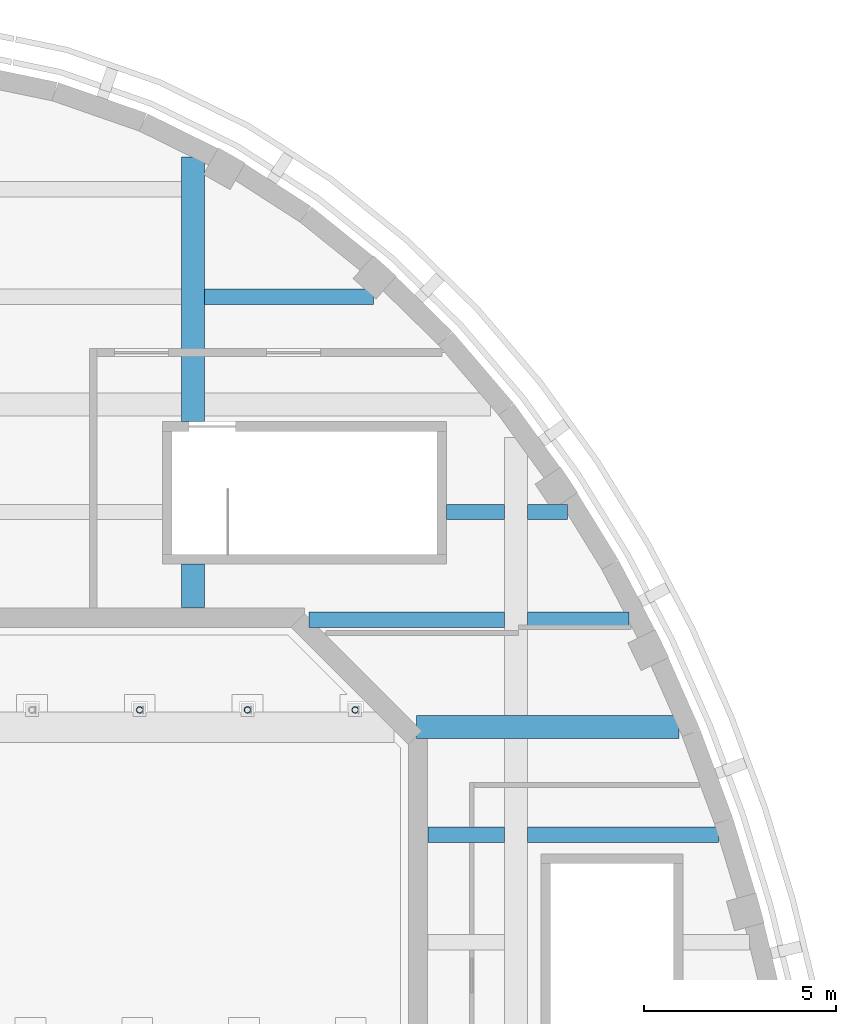
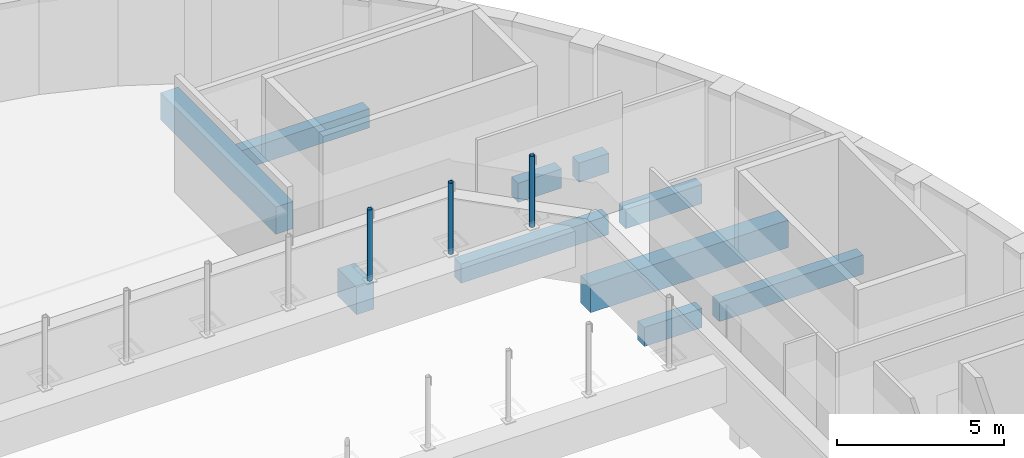
# One storey, part 22 of 47: 10 beams, 3 members.
"""IFC4 building model written with IfcOpenShell, lengths in metres."""

from ifc_helpers import new_model, si_unit, direction, frame, origin, origin_2d, place, context, subcontext, project, spatial, rectangle, hollow_circle, extrude, material, material_profile, profile_set, type_object, element, save


model = new_model("IFC4")

# Units and contexts
model_context = context("Model", 3, precision=1e-05, world=origin(), true_north=direction((0.0, 1.0)))
body_context = subcontext(model_context, "Body", "Model", "MODEL_VIEW")
ifc_project = project(units=[si_unit("LENGTHUNIT", "METRE"), si_unit("AREAUNIT", "SQUARE_METRE"), si_unit("VOLUMEUNIT", "CUBIC_METRE"), si_unit("PLANEANGLEUNIT", "RADIAN"), si_unit("MASSUNIT", "GRAM", prefix="KILO")], contexts=[model_context])

# Site, building, storey
site_placement = place(None, origin())
site = spatial("IfcSite", under=ifc_project, at=site_placement, CompositionType="ELEMENT")
building_placement = place(site_placement, origin())
building = spatial("IfcBuilding", under=site, at=building_placement, Name="Larchfold Concert Hall", CompositionType="ELEMENT")
storey_placement = place(building_placement, frame((0.0, 0.0, 24.0)))
storey = spatial("IfcBuildingStorey", under=building, at=storey_placement, Name="L05", CompositionType="ELEMENT", Elevation=24.0)

# Beams
ifc_material_1 = material(Name="Concrete C35/45", Category="concrete")
ifc_material_profile_1 = material_profile(ifc_material_1, rectangle(XDim=0.39990234375, YDim=0.699951171875, at=origin_2d()))
ifc_profile_set_1 = profile_set([ifc_material_profile_1], Name="Concrete C35/45")
beam_type_1 = type_object("IfcBeamType", Name="Beam RC 400x700", PredefinedType="BEAM", material=ifc_profile_set_1)
beam_1_placement = place(storey_placement, frame((57.110107421875, 98.60009765625, -0.550048828125), z_axis=(1.0, 0.0, 0.0), x_axis=(0.0, 1.0, 0.0)))
element("IfcBeam", 1, at=beam_1_placement, inside=storey, type_object=beam_type_1, Name="Beam B1582", PredefinedType="BEAM", context=body_context, shape_type="SweptSolid", body=[
    extrude(rectangle(XDim=0.39990234375, YDim=0.699951171875, at=origin_2d()), origin(), (0.0, 0.0, 1.0), 1.989990234375),
])
beam_2_placement = place(storey_placement, frame((59.699951171875, 98.60009765625, -0.550048828125), z_axis=(1.0, 0.0, 0.0), x_axis=(0.0, 1.0, 0.0)))
element("IfcBeam", 2, at=beam_2_placement, inside=storey, type_object=beam_type_1, Name="Beam B1583", PredefinedType="BEAM", context=body_context, shape_type="SweptSolid", body=[
    extrude(rectangle(XDim=0.39990234375, YDim=0.699951171875, at=origin_2d()), origin(), (0.0, 0.0, 1.0), 4.9765625),
])
beam_3_placement = place(storey_placement, frame((54.01416015625, 104.199951171875, -0.550048828125), z_axis=(1.0, 0.0, 0.0), x_axis=(0.0, 1.0, 0.0)))
element("IfcBeam", 3, at=beam_3_placement, inside=storey, type_object=beam_type_1, Name="Beam B1586", PredefinedType="BEAM", context=body_context, shape_type="SweptSolid", body=[
    extrude(rectangle(XDim=0.39990234375, YDim=0.699951171875, at=origin_2d()), origin(), (0.0, 0.0, 1.0), 5.0859375),
])
beam_4_placement = place(storey_placement, frame((59.699951171875, 104.199951171875, -0.550048828125), z_axis=(1.0, 0.0, 0.0), x_axis=(0.0, 1.0, 0.0)))
element("IfcBeam", 4, at=beam_4_placement, inside=storey, type_object=beam_type_1, Name="Beam B1587", PredefinedType="BEAM", context=body_context, shape_type="SweptSolid", body=[
    extrude(rectangle(XDim=0.39990234375, YDim=0.699951171875, at=origin_2d()), origin(), (0.0, 0.0, 1.0), 2.639404296875),
])
beam_5_placement = place(storey_placement, frame((57.60009765625, 107.0, -0.550048828125), z_axis=(1.0, 0.0, 0.0), x_axis=(0.0, 1.0, 0.0)))
element("IfcBeam", 5, at=beam_5_placement, inside=storey, type_object=beam_type_1, Name="Beam B1592", PredefinedType="BEAM", context=body_context, shape_type="SweptSolid", body=[
    extrude(rectangle(XDim=0.39990234375, YDim=0.699951171875, at=origin_2d()), origin(), (0.0, 0.0, 1.0), 1.5),
])
beam_6_placement = place(storey_placement, frame((59.699951171875, 107.0, -0.550048828125), z_axis=(1.0, 0.0, 0.0), x_axis=(0.0, 1.0, 0.0)))
element("IfcBeam", 6, at=beam_6_placement, inside=storey, type_object=beam_type_1, Name="Beam B1593", PredefinedType="BEAM", context=body_context, shape_type="SweptSolid", body=[
    extrude(rectangle(XDim=0.39990234375, YDim=0.699951171875, at=origin_2d()), origin(), (0.0, 0.0, 1.0), 1.0380859375),
])
beam_7_placement = place(storey_placement, frame((51.300048828125, 112.60009765625, -0.550048828125), z_axis=(1.0, 0.0, 0.0), x_axis=(0.0, 1.0, 0.0)))
element("IfcBeam", 7, at=beam_7_placement, inside=storey, type_object=beam_type_1, Name="Beam B1597", PredefinedType="BEAM", context=body_context, shape_type="SweptSolid", body=[
    extrude(rectangle(XDim=0.39990234375, YDim=0.699951171875, at=origin_2d()), origin(), (0.0, 0.0, 1.0), 4.395751953125),
])
ifc_material_2 = material(Name="Concrete C35/45", Category="concrete")
ifc_material_profile_2 = material_profile(ifc_material_2, rectangle(XDim=0.60009765625, YDim=1.0, at=origin_2d()))
ifc_profile_set_2 = profile_set([ifc_material_profile_2], Name="Concrete C35/45")
beam_type_2 = type_object("IfcBeamType", Name="Beam RC 600x1000", PredefinedType="BEAM", material=ifc_profile_set_2)
beam_8_placement = place(storey_placement, frame((51.0, 104.510009765625, -0.699951171875), z_axis=(0.0, 1.0, 0.0), x_axis=(-1.0, 0.0, 0.0)))
element("IfcBeam", 8, at=beam_8_placement, inside=storey, type_object=beam_type_2, Name="Beam B1527", PredefinedType="BEAM", context=body_context, shape_type="SweptSolid", body=[
    extrude(rectangle(XDim=0.60009765625, YDim=1.0, at=origin_2d()), origin(), (0.0, 0.0, 1.0), 1.139892578125),
])
beam_9_placement = place(storey_placement, frame((51.0, 109.35009765625, -0.699951171875), z_axis=(0.0, 1.0, 0.0), x_axis=(-1.0, 0.0, 0.0)))
element("IfcBeam", 9, at=beam_9_placement, inside=storey, type_object=beam_type_2, Name="Beam B1528", PredefinedType="BEAM", context=body_context, shape_type="SweptSolid", body=[
    extrude(rectangle(XDim=0.60009765625, YDim=1.0, at=origin_2d()), origin(), (0.0, 0.0, 1.0), 6.893798828125),
])
beam_10_placement = place(storey_placement, frame((56.814208984375, 101.39990234375, -0.699951171875), z_axis=(1.0, 0.0, 0.0), x_axis=(0.0, 1.0, 0.0)))
element("IfcBeam", 10, at=beam_10_placement, inside=storey, type_object=beam_type_2, Name="Beam B1547", PredefinedType="BEAM", context=body_context, shape_type="SweptSolid", body=[
    extrude(rectangle(XDim=0.60009765625, YDim=1.0, at=origin_2d()), origin(), (0.0, 0.0, 1.0), 6.8291015625),
])

# Members
ifc_material_3 = material(Name="Steel S355J2H", Category="steel")
ifc_material_profile_3 = material_profile(ifc_material_3, hollow_circle(Radius=0.084228515625, WallThickness=0.008056640625, at=origin_2d()))
ifc_profile_set_3 = profile_set([ifc_material_profile_3], Name="Steel S355J2H")
member_type = type_object("IfcMemberType", Name="Truss post CHS 168.3x8", PredefinedType="POST", material=ifc_profile_set_3)
for number, where, z_axis, x_axis, name in (
    (11, (49.610107421875, 101.85009765625, 2.080078125), (0.0, 0.0, 1.0), (1.0, 0.0, 0.0), "Member TP048"),
    (12, (52.4140625, 101.85009765625, 2.080078125), (0.0, 0.0, 1.0), (1.0, 0.0, 0.0), "Member TP049"),
    (13, (55.218017578125, 101.85009765625, 2.080078125), (0.0, 0.0, 1.0), (1.0, 0.0, 0.0), "Member TP050"),
):
    element("IfcMember", number, at=place(storey_placement, frame(where, z_axis=z_axis, x_axis=x_axis)), inside=storey, type_object=member_type, Name=name, PredefinedType="POST", context=body_context, shape_type="SweptSolid", body=[
        extrude(hollow_circle(Radius=0.084228515625, WallThickness=0.008056640625, at=origin_2d()), origin(), (0.0, 0.0, 1.0), 2.594970703125),
    ])

save(model, "model.ifc")
